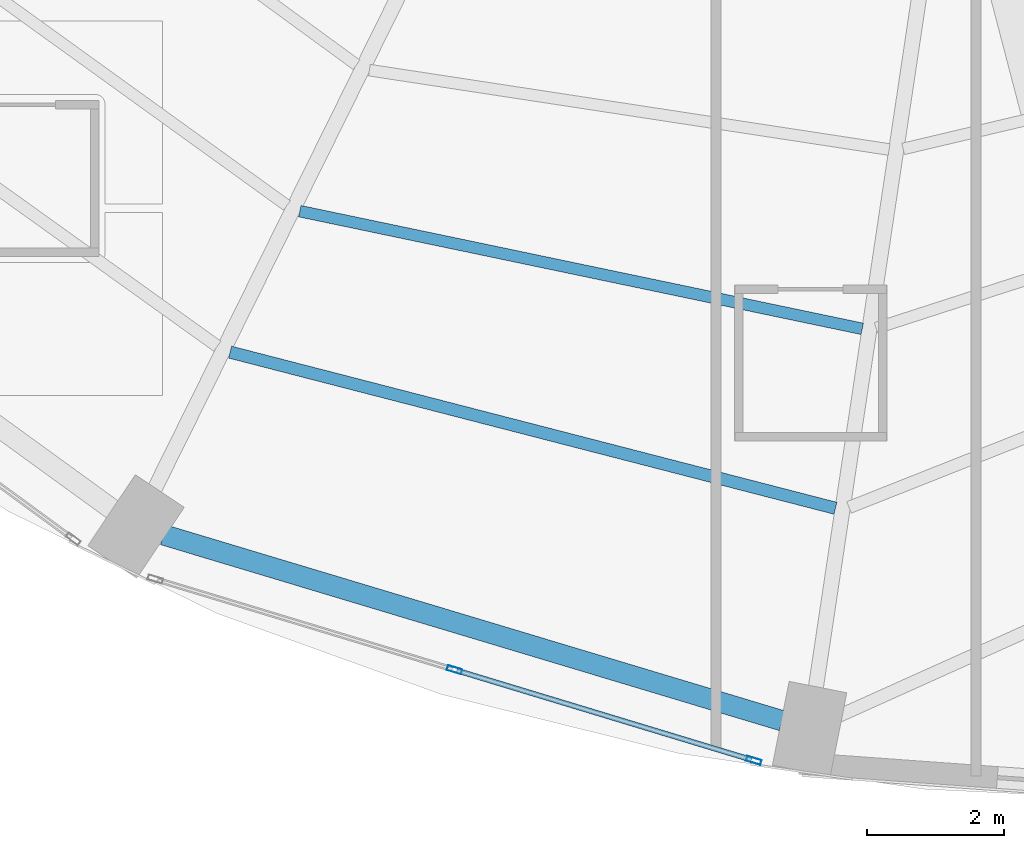
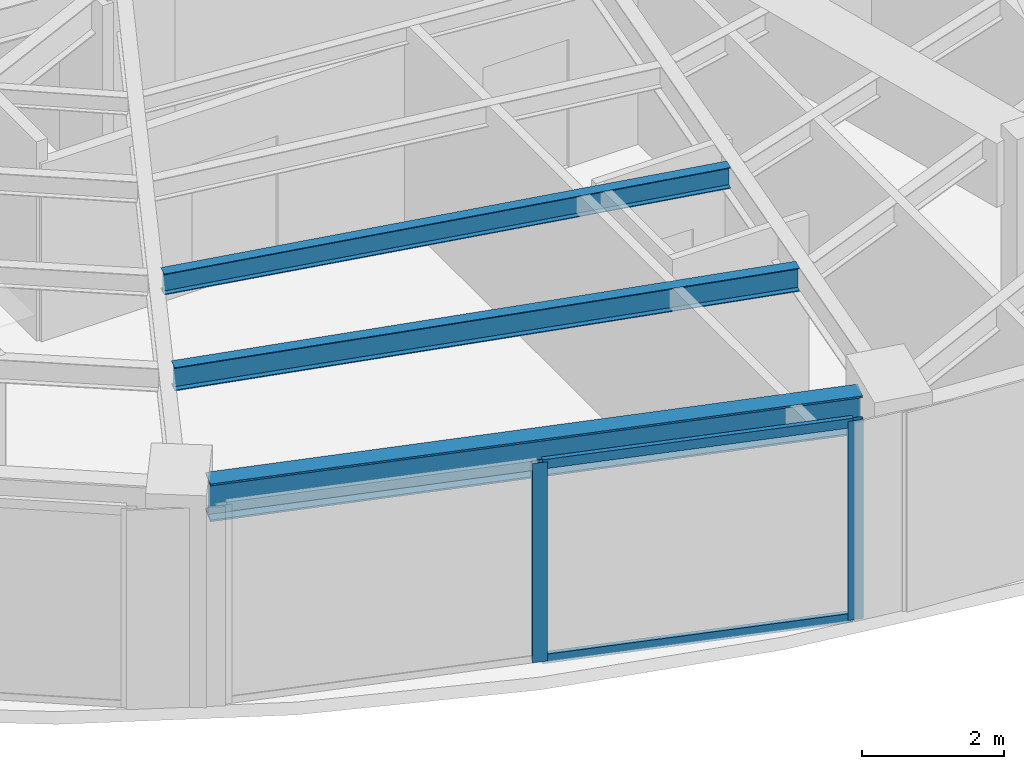
# One storey, part 5 of 25: 4 members, 3 beams, 1 element without a shape of its own.
"""IFC4 building model written with IfcOpenShell, lengths in metres."""

from ifc_helpers import new_model, si_unit, direction, frame, origin, origin_2d, place, context, subcontext, project, spatial, hollow_rectangle, i_section, extrude, material, layer, layer_set, material_profile, profile_set, type_object, element, aggregate, save


model = new_model("IFC4")

# Units and contexts
model_context = context("Model", 3, precision=1e-05, world=origin(), true_north=direction((0.0, 1.0)))
body_context = subcontext(model_context, "Body", "Model", "MODEL_VIEW")
ifc_project = project(units=[si_unit("LENGTHUNIT", "METRE"), si_unit("AREAUNIT", "SQUARE_METRE"), si_unit("VOLUMEUNIT", "CUBIC_METRE"), si_unit("PLANEANGLEUNIT", "RADIAN"), si_unit("MASSUNIT", "GRAM", prefix="KILO")], contexts=[model_context])

# Site, building, storey
site_placement = place(None, origin())
site = spatial("IfcSite", under=ifc_project, at=site_placement, CompositionType="ELEMENT")
building_placement = place(site_placement, origin())
building = spatial("IfcBuilding", under=site, at=building_placement, Name="Lazwardi Medical Tower", CompositionType="ELEMENT")
storey_placement = place(building_placement, frame((0.0, 0.0, 28.847900390625)))
storey = spatial("IfcBuildingStorey", under=building, at=storey_placement, Name="L06", CompositionType="ELEMENT", Elevation=28.847900390625)

# Beams
ifc_material_1 = material(Name="Steel S355", Category="steel")
ifc_material_profile_1 = material_profile(ifc_material_1, i_section(OverallWidth=0.300048828125, OverallDepth=0.64990234375, WebThickness=0.01611328125, FlangeThickness=0.031005859375, at=origin_2d()), Name="HEB 650")
ifc_profile_set_1 = profile_set([ifc_material_profile_1], Name="Steel S355")
beam_type_1 = type_object("IfcBeamType", Name="BM-RB-Z1", PredefinedType="BEAM", material=ifc_profile_set_1)
beam_1_placement = place(storey_placement, frame((21.22119140625, 8.9951171875, 3.10302734375), z_axis=(0.957695289269, -0.287784177662, 0.0), x_axis=(0.287784177662, 0.957695289269, 0.0)))
element("IfcBeam", 1, at=beam_1_placement, inside=storey, type_object=beam_type_1, Name="Ring beam RB-02 B15 L06", PredefinedType="BEAM", context=body_context, shape_type="SweptSolid", body=[
    extrude(i_section(OverallWidth=0.300048828125, OverallDepth=0.64990234375, WebThickness=0.01611328125, FlangeThickness=0.031005859375, at=origin_2d()), origin(), (0.0, 0.0, 1.0), 9.445556640625),
])
ifc_material_profile_2 = material_profile(ifc_material_1, i_section(OverallWidth=0.179931640625, OverallDepth=0.39990234375, WebThickness=0.008544921875, FlangeThickness=0.013427734375, at=origin_2d()), Name="IPE 400")
ifc_profile_set_2 = profile_set([ifc_material_profile_2], Name="Steel S355")
beam_type_2 = type_object("IfcBeamType", Name="BM-SJ-01", PredefinedType="JOIST", material=ifc_profile_set_2)
beam_2_placement = place(storey_placement, frame((22.195068359375, 11.666748046875, 3.22802734375), z_axis=(0.968316918308, -0.249724539682, 0.0), x_axis=(0.249724539682, 0.968316918308, 0.0)))
element("IfcBeam", 2, at=beam_2_placement, inside=storey, type_object=beam_type_2, Name="Secondary joist SJ-01 R1 B15 L06", PredefinedType="JOIST", context=body_context, shape_type="SweptSolid", body=[
    extrude(i_section(OverallWidth=0.179931640625, OverallDepth=0.39990234375, WebThickness=0.008544921875, FlangeThickness=0.013427734375, at=origin_2d()), origin(), (0.0, 0.0, 1.0), 9.140869140625),
])
ifc_material_profile_3 = material_profile(ifc_material_1, i_section(OverallWidth=0.169921875, OverallDepth=0.360107421875, WebThickness=0.008056640625, FlangeThickness=0.0126953125, at=origin_2d()), Name="IPE 360")
ifc_profile_set_3 = profile_set([ifc_material_profile_3], Name="Steel S355")
beam_type_3 = type_object("IfcBeamType", Name="BM-SJ-02", PredefinedType="JOIST", material=ifc_profile_set_3)
beam_3_placement = place(storey_placement, frame((23.213623046875, 13.728271484375, 3.248046875), z_axis=(0.978809182847, -0.204774470026, 0.0), x_axis=(0.204774470026, 0.978809182847, 0.0)))
element("IfcBeam", 3, at=beam_3_placement, inside=storey, type_object=beam_type_3, Name="Secondary joist SJ-02 R2 B15 L06", PredefinedType="JOIST", context=body_context, shape_type="SweptSolid", body=[
    extrude(i_section(OverallWidth=0.169921875, OverallDepth=0.360107421875, WebThickness=0.008056640625, FlangeThickness=0.0126953125, at=origin_2d()), origin(), (0.0, 0.0, 1.0), 8.40283203125),
])

# Curtain wall, members
ifc_material_2 = material(Name="Anodised bronze aluminium and solar control glazing", Category="aluminium")
ifc_layer = layer(ifc_material_2, 0.199951171875)
ifc_layer_set = layer_set([ifc_layer], Name="Anodised bronze aluminium and solar control glazing")
curtain_wall_type = type_object("IfcCurtainWallType", Name="CW-SYS-02", PredefinedType="NOTDEFINED", material=ifc_layer_set)
curtain_wall_placement = place(storey_placement, origin())
curtain_wall = element("IfcCurtainWall", 4, at=curtain_wall_placement, inside=storey, type_object=curtain_wall_type, Name="L06 Unitised bronze curtain wall CW-02", PredefinedType="NOTDEFINED")
ifc_material_3 = material(Name="Anodised bronze aluminium", Category="aluminium")
ifc_material_profile_4 = material_profile(ifc_material_3, hollow_rectangle(XDim=0.074951171875, YDim=0.219970703125, WallThickness=0.00390625, at=origin_2d()), Name="ALU-MULLION 220x75x4")
ifc_profile_set_4 = profile_set([ifc_material_profile_4], Name="Anodised bronze aluminium")
member_type_1 = type_object("IfcMemberType", Name="CW-MUL-01", PredefinedType="MULLION", material=ifc_profile_set_4)
member_1_placement = place(storey_placement, frame((25.476806640625, 7.021484375, 0.0), z_axis=(0.0, 0.0, 1.0), x_axis=(0.2898956909, 0.957058247129, 0.0)))
member_1 = element("IfcMember", 5, at=member_1_placement, type_object=member_type_1, Name="CW-02 mullion 2", PredefinedType="MULLION", context=body_context, shape_type="SweptSolid", body=[
    extrude(hollow_rectangle(XDim=0.074951171875, YDim=0.219970703125, WallThickness=0.00390625, at=origin_2d()), origin(), (0.0, 0.0, 1.0), 3.427978515625),
])
member_2_placement = place(storey_placement, frame((29.85205078125, 5.6962890625, 0.0), z_axis=(0.0, 0.0, 1.0), x_axis=(0.2898956909, 0.957058247129, 0.0)))
member_2 = element("IfcMember", 6, at=member_2_placement, type_object=member_type_1, Name="CW-02 mullion 3", PredefinedType="MULLION", context=body_context, shape_type="SweptSolid", body=[
    extrude(hollow_rectangle(XDim=0.074951171875, YDim=0.219970703125, WallThickness=0.00390625, at=origin_2d()), origin(), (0.0, 0.0, 1.0), 3.427978515625),
])
ifc_material_profile_5 = material_profile(ifc_material_3, hollow_rectangle(XDim=0.074951171875, YDim=0.159912109375, WallThickness=0.00390625, at=origin_2d()), Name="ALU-TRANSOM 160x75x4")
ifc_profile_set_5 = profile_set([ifc_material_profile_5], Name="Anodised bronze aluminium")
member_type_2 = type_object("IfcMemberType", Name="CW-TRN-01", PredefinedType="USERDEFINED", material=ifc_profile_set_5)
member_3_placement = place(storey_placement, frame((25.5126953125, 7.0107421875, 0.03759765625), z_axis=(0.957047233423, -0.28993204893, 0.0), x_axis=(0.28993204893, 0.957047233423, 0.0)))
member_3 = element("IfcMember", 7, at=member_3_placement, type_object=member_type_2, Name="CW-02 transom 2.1", ObjectType="TRANSOM", PredefinedType="USERDEFINED", context=body_context, shape_type="SweptSolid", body=[
    extrude(hollow_rectangle(XDim=0.074951171875, YDim=0.159912109375, WallThickness=0.00390625, at=origin_2d()), origin(), (0.0, 0.0, 1.0), 4.49658203125),
])
member_4_placement = place(storey_placement, frame((25.5126953125, 7.0107421875, 3.390625), z_axis=(0.957047233423, -0.28993204893, 0.0), x_axis=(0.28993204893, 0.957047233423, 0.0)))
member_4 = element("IfcMember", 8, at=member_4_placement, type_object=member_type_2, Name="CW-02 transom 2.2", ObjectType="TRANSOM", PredefinedType="USERDEFINED", context=body_context, shape_type="SweptSolid", body=[
    extrude(hollow_rectangle(XDim=0.074951171875, YDim=0.159912109375, WallThickness=0.00390625, at=origin_2d()), origin(), (0.0, 0.0, 1.0), 4.49658203125),
])
aggregate(curtain_wall, [member_1, member_2, member_3, member_4])

save(model, "model.ifc")
